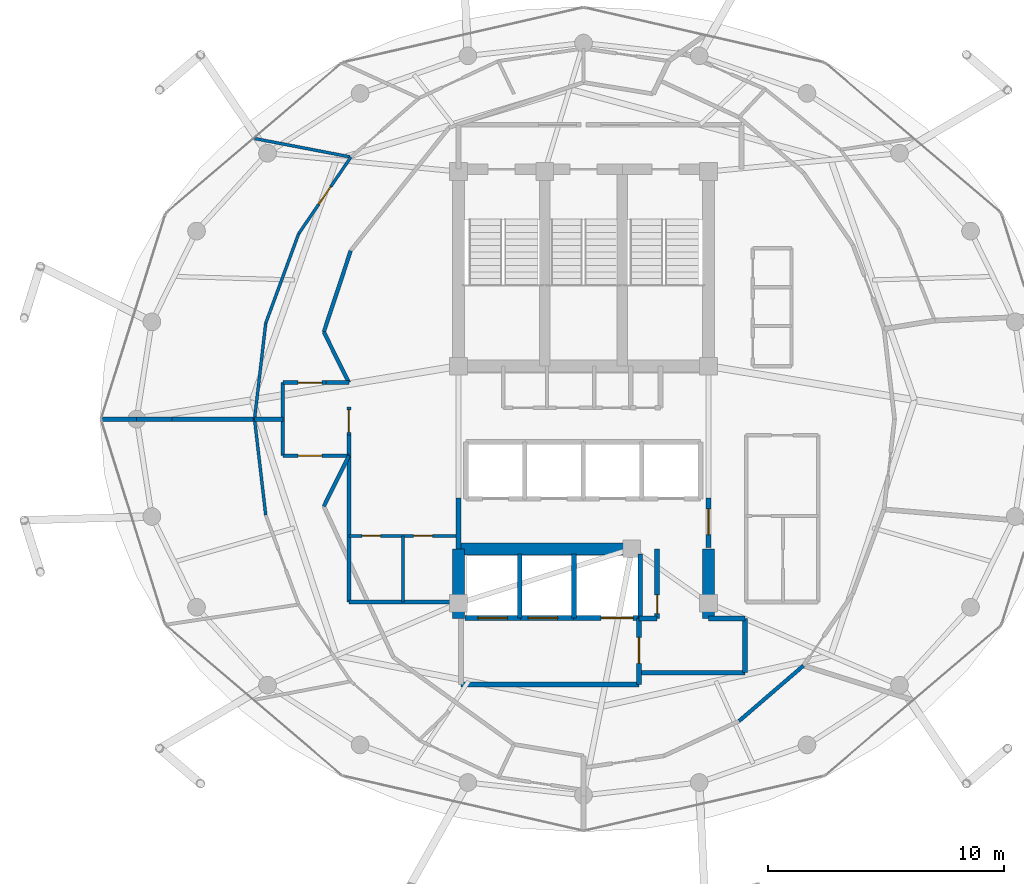
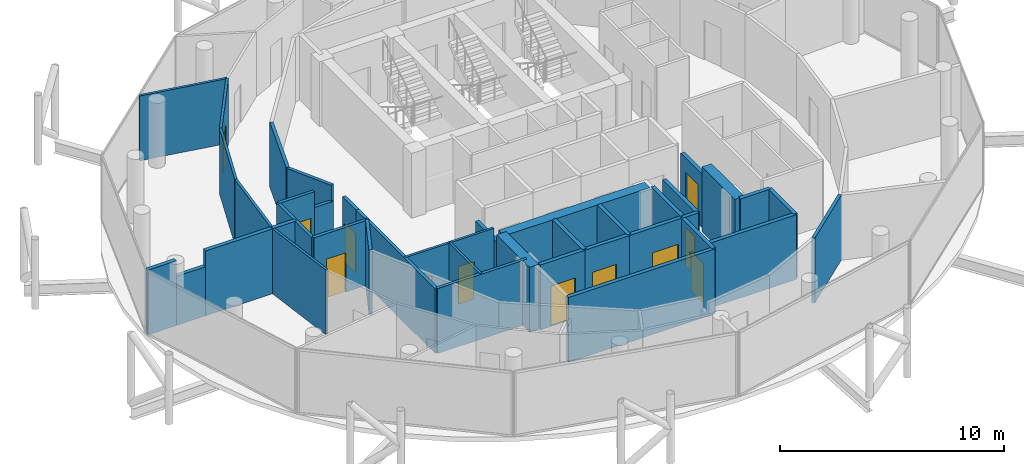
# One storey, part 20 of 24: 40 walls, 12 doors, 12 openings.
"""IFC4 building model written with IfcOpenShell, lengths in metres."""

from ifc_helpers import new_model, si_unit, direction, frame, frame_2d, origin, place, context, subcontext, project, spatial, rectangle, extrude, material, layer, layer_set, type_object, element, fill, save


model = new_model("IFC4")

# Units and contexts
model_context = context("Model", 3, precision=1e-05, world=origin(), true_north=direction((0.0, 1.0)))
body_context = subcontext(model_context, "Body", "Model", "MODEL_VIEW")
ifc_project = project(units=[si_unit("LENGTHUNIT", "METRE"), si_unit("AREAUNIT", "SQUARE_METRE"), si_unit("VOLUMEUNIT", "CUBIC_METRE"), si_unit("PLANEANGLEUNIT", "RADIAN"), si_unit("MASSUNIT", "GRAM", prefix="KILO")], contexts=[model_context])

# Site, building, storey
site_placement = place(None, origin())
site = spatial("IfcSite", under=ifc_project, at=site_placement, CompositionType="ELEMENT")
building_placement = place(site_placement, origin())
building = spatial("IfcBuilding", under=site, at=building_placement, Name="Nuhasar Tower", CompositionType="ELEMENT")
storey_placement = place(building_placement, frame((0.0, 0.0, 289.800048828125)))
storey = spatial("IfcBuildingStorey", under=building, at=storey_placement, Name="L72", CompositionType="ELEMENT", Elevation=289.800048828125)

# Walls
ifc_material_1 = material(Name="Concrete C50/60", Category="concrete")
ifc_layer_1 = layer(ifc_material_1, 0.5)
ifc_layer_set_1 = layer_set([ifc_layer_1], Name="Concrete C50/60")
wall_type_1 = type_object("IfcWallType", Name="WL-CORE-500", PredefinedType="SHEAR", material=ifc_layer_set_1)
for number, where, z_axis, x_axis, name in (
    (1, (33.699951171875, 18.35009765625, 0.0), (0.0, 0.0, 1.0), (0.0, 1.0, 0.0), "L72 Core Shear Wall CW-SW CW-500"),
    (2, (44.300048828125, 18.35009765625, 0.0), (0.0, 0.0, 1.0), (0.0, 1.0, 0.0), "L72 Core Shear Wall CW-SE CW-500"),
):
    element("IfcWall", number, at=place(storey_placement, frame(where, z_axis=z_axis, x_axis=x_axis)), inside=storey, type_object=wall_type_1, Name=name, PredefinedType="SHEAR", context=body_context, shape_type="SweptSolid", body=[
        extrude(rectangle(XDim=2.949951171875, YDim=0.5, at=frame_2d((1.47509765625, 0.0))), origin(), (0.0, 0.0, 1.0), 3.5400390625),
    ])
wall_1_placement = place(storey_placement, frame((33.699951171875, 21.300048828125, 0.0), z_axis=(0.0, 0.0, 1.0), x_axis=(1.0, 0.0, 0.0)))
element("IfcWall", 3, at=wall_1_placement, inside=storey, type_object=wall_type_1, Name="L72 Core Shear Wall CW-S1 CW-500", PredefinedType="SHEAR", context=body_context, shape_type="SweptSolid", body=[
    extrude(rectangle(XDim=7.550048828125, YDim=0.5, at=frame_2d((3.77490234375, 0.0))), origin(), (0.0, 0.0, 1.0), 3.5400390625),
])
ifc_material_2 = material(Name="Gypsum Board", Category="gypsum")
ifc_layer_2 = layer(ifc_material_2, 0.159912109375)
ifc_layer_set_2 = layer_set([ifc_layer_2], Name="Gypsum Board")
wall_type_2 = type_object("IfcWallType", Name="WL-CORR-160", PredefinedType="PARTITIONING", material=ifc_layer_set_2)
wall_2_placement = place(storey_placement, frame((29.050048828125, 19.050048828125, 0.0), z_axis=(0.0, 0.0, 1.0), x_axis=(1.0, 0.0, 0.0)))
element("IfcWall", 4, at=wall_2_placement, inside=storey, type_object=wall_type_2, Name="L72 Interior Partition RECL-B1-S", PredefinedType="PARTITIONING", context=body_context, shape_type="SweptSolid", body=[
    extrude(rectangle(XDim=4.64990234375, YDim=0.159912109375, at=frame_2d((2.324951171875, 0.0))), origin(), (0.0, 0.0, 1.0), 3.5400390625),
])
wall_3_placement = place(storey_placement, frame((29.050048828125, 19.050048828125, 0.0), z_axis=(0.0, 0.0, 1.0), x_axis=(0.0, 1.0, 0.0)))
element("IfcWall", 5, at=wall_3_placement, inside=storey, type_object=wall_type_2, Name="L72 Interior Partition RECL-B1-W", PredefinedType="PARTITIONING", context=body_context, shape_type="SweptSolid", body=[
    extrude(rectangle(XDim=7.070068359375, YDim=0.159912109375, at=frame_2d((3.53515625, 0.0))), origin(), (0.0, 0.0, 1.0), 3.5400390625),
])

# Wall, opening, door
wall_4_placement = place(storey_placement, frame((29.050048828125, 26.1201171875, 0.0), z_axis=(0.0, 0.0, 1.0), x_axis=(0.0, 1.0, 0.0)))
wall_4 = element("IfcWall", 6, at=wall_4_placement, inside=storey, type_object=wall_type_2, Name="L72 Interior Partition WVEST-E", PredefinedType="PARTITIONING", context=body_context, shape_type="SweptSolid", body=[
    extrude(rectangle(XDim=1.199951171875, YDim=0.159912109375, at=frame_2d((0.60009765625, 0.0))), origin(), (0.0, 0.0, 1.0), 3.5400390625),
])
opening_1_placement = place(wall_4_placement, frame((0.125, 0.0, 0.0)))
opening_1 = element("IfcOpeningElement", 7, at=opening_1_placement, cuts=wall_4, Name="Opening DO-01", PredefinedType="OPENING", context=body_context, shape_type="SweptSolid", body=[
    extrude(rectangle(XDim=0.949951171875, YDim=2.14990234375, at=frame_2d((0.47509765625, 1.074951171875))), frame((0.0, 0.08984375, 0.0), z_axis=(0.0, -1.0, 0.0), x_axis=(1.0, 0.0, 0.0)), (0.0, 0.0, 1.0), 0.179931640625),
])
ifc_material_3 = material(Name="Timber Oak", Category="wood")
door_type_1 = type_object("IfcDoorType", Name="DR-OFFICE-FD30-950", OperationType="NOTDEFINED", PredefinedType="DOOR", material=ifc_material_3)
door_1_placement = place(opening_1_placement, origin())
door_1 = element("IfcDoor", 8, at=door_1_placement, inside=storey, type_object=door_type_1, Name="L72 West Arrival Foyer Core Door", OperationType="SINGLE_SWING_RIGHT", OverallHeight=2.14990234375, OverallWidth=0.949951171875, PredefinedType="DOOR", context=body_context, shape_type="SweptSolid", body=[
    extrude(rectangle(XDim=0.949951171875, YDim=2.14990234375, at=frame_2d((0.47509765625, 1.074951171875))), frame((0.0, 0.02490234375, 0.0), z_axis=(0.0, -1.0, 0.0), x_axis=(1.0, 0.0, 0.0)), (0.0, 0.0, 1.0), 0.050048828125),
])
fill(opening_1, door_1)

# Walls
wall_5_placement = place(storey_placement, frame((45.594970703125, 14.0, 0.0), z_axis=(0.0, 0.0, 1.0), x_axis=(0.758232091793, 0.651984735231, 0.0)))
element("IfcWall", 9, at=wall_5_placement, inside=storey, type_object=wall_type_2, Name="L72 Interior Partition CORR-40", PredefinedType="PARTITIONING", context=body_context, shape_type="SweptSolid", body=[
    extrude(rectangle(XDim=3.60302734375, YDim=0.159912109375, at=frame_2d((1.801513671875, 0.0))), origin(), (0.0, 0.0, 1.0), 3.5400390625),
])
wall_6_placement = place(storey_placement, frame((29.126953125, 33.93994140625, 0.0), z_axis=(0.0, 0.0, 1.0), x_axis=(-0.313985571683, -0.949427754374, 0.0)))
element("IfcWall", 10, at=wall_6_placement, inside=storey, type_object=wall_type_2, Name="L72 Interior Partition UWEST-CORE-N2-20", PredefinedType="PARTITIONING", context=body_context, shape_type="SweptSolid", body=[
    extrude(rectangle(XDim=3.627197265625, YDim=0.159912109375, at=frame_2d((1.8134765625, 0.0))), origin(), (0.0, 0.0, 1.0), 3.5400390625),
])

# Wall, opening, door
wall_7_placement = place(storey_placement, frame((26.25, 28.35009765625, 0.0), z_axis=(0.0, 0.0, 1.0), x_axis=(1.0, 0.0, 0.0)))
wall_7 = element("IfcWall", 11, at=wall_7_placement, inside=storey, type_object=wall_type_2, Name="L72 Interior Partition WVEST-N", PredefinedType="PARTITIONING", context=body_context, shape_type="SweptSolid", body=[
    extrude(rectangle(XDim=1.820068359375, YDim=0.159912109375, at=frame_2d((0.91015625, 0.0))), origin(), (0.0, 0.0, 1.0), 3.5400390625),
])
opening_2_placement = place(wall_7_placement, frame((0.64990234375, 0.0, 0.0)))
opening_2 = element("IfcOpeningElement", 12, at=opening_2_placement, cuts=wall_7, Name="Opening DU-02", PredefinedType="OPENING", context=body_context, shape_type="SweptSolid", body=[
    extrude(rectangle(XDim=1.0, YDim=2.14990234375, at=frame_2d((0.5, 1.074951171875))), frame((0.0, 0.08984375, 0.0), z_axis=(0.0, -1.0, 0.0), x_axis=(1.0, 0.0, 0.0)), (0.0, 0.0, 1.0), 0.179931640625),
])
door_type_2 = type_object("IfcDoorType", Name="DR-FLAT-FD60-1000", OperationType="NOTDEFINED", PredefinedType="DOOR", material=ifc_material_3)
door_2_placement = place(opening_2_placement, origin())
door_2 = element("IfcDoor", 13, at=door_2_placement, inside=storey, type_object=door_type_2, Name="L72 North-West Sky Home Entrance", OperationType="SINGLE_SWING_LEFT", OverallHeight=2.14990234375, OverallWidth=1.0, PredefinedType="DOOR", context=body_context, shape_type="SweptSolid", body=[
    extrude(rectangle(XDim=1.0, YDim=2.14990234375, at=frame_2d((0.5, 1.074951171875))), frame((0.0, 0.02490234375, 0.0), z_axis=(0.0, -1.0, 0.0), x_axis=(1.0, 0.0, 0.0)), (0.0, 0.0, 1.0), 0.050048828125),
])
fill(opening_2, door_2)

# Wall
wall_8_placement = place(storey_placement, frame((28.070068359375, 28.35009765625, 0.0), z_axis=(0.0, 0.0, 1.0), x_axis=(1.0, 0.0, 0.0)))
element("IfcWall", 14, at=wall_8_placement, inside=storey, type_object=wall_type_2, Name="L72 Interior Partition WVEST-N", PredefinedType="PARTITIONING", context=body_context, shape_type="SweptSolid", body=[
    extrude(rectangle(XDim=0.97998046875, YDim=0.159912109375, at=frame_2d((0.489990234375, 0.0))), origin(), (0.0, 0.0, 1.0), 2.679931640625),
])

# Wall, opening, door
wall_9_placement = place(storey_placement, frame((26.25, 25.25, 0.0), z_axis=(0.0, 0.0, 1.0), x_axis=(1.0, 0.0, 0.0)))
wall_9 = element("IfcWall", 15, at=wall_9_placement, inside=storey, type_object=wall_type_2, Name="L72 Interior Partition WVEST-S", PredefinedType="PARTITIONING", context=body_context, shape_type="SweptSolid", body=[
    extrude(rectangle(XDim=2.800048828125, YDim=0.159912109375, at=frame_2d((1.39990234375, 0.0))), origin(), (0.0, 0.0, 1.0), 3.5400390625),
])
opening_3_placement = place(wall_9_placement, frame((0.64990234375, 0.0, 0.0)))
opening_3 = element("IfcOpeningElement", 16, at=opening_3_placement, cuts=wall_9, Name="Opening DU-02", PredefinedType="OPENING", context=body_context, shape_type="SweptSolid", body=[
    extrude(rectangle(XDim=1.0, YDim=2.14990234375, at=frame_2d((0.5, 1.074951171875))), frame((0.0, 0.08984375, 0.0), z_axis=(0.0, -1.0, 0.0), x_axis=(1.0, 0.0, 0.0)), (0.0, 0.0, 1.0), 0.179931640625),
])
door_3_placement = place(opening_3_placement, origin())
door_3 = element("IfcDoor", 17, at=door_3_placement, inside=storey, type_object=door_type_2, Name="L72 South-West Sky Home Entrance", OperationType="SINGLE_SWING_LEFT", OverallHeight=2.14990234375, OverallWidth=1.0, PredefinedType="DOOR", context=body_context, shape_type="SweptSolid", body=[
    extrude(rectangle(XDim=1.0, YDim=2.14990234375, at=frame_2d((0.5, 1.074951171875))), frame((0.0, 0.02490234375, 0.0), z_axis=(0.0, -1.0, 0.0), x_axis=(1.0, 0.0, 0.0)), (0.0, 0.0, 1.0), 0.050048828125),
])
fill(opening_3, door_3)

# Walls
wall_10_placement = place(storey_placement, frame((26.25, 25.25, 0.0), z_axis=(0.0, 0.0, 1.0), x_axis=(0.0, 1.0, 0.0)))
element("IfcWall", 18, at=wall_10_placement, inside=storey, type_object=wall_type_2, Name="L72 Interior Partition WVEST-W", PredefinedType="PARTITIONING", context=body_context, shape_type="SweptSolid", body=[
    extrude(rectangle(XDim=3.10009765625, YDim=0.159912109375, at=frame_2d((1.550048828125, 0.0))), origin(), (0.0, 0.0, 1.0), 3.5400390625),
])
for number, where, z_axis, x_axis, name in (
    (19, (27.988037109375, 30.49609375, 0.0), (0.0, 0.0, 1.0), (0.443539160525, -0.896254993337, 0.0), "L72 Interior Partition WVEST-CN"),
    (20, (27.988037109375, 23.10400390625, 0.0), (0.0, 0.0, 1.0), (0.443539160525, 0.896254993337, 0.0), "L72 Interior Partition WVEST-CS"),
):
    element("IfcWall", number, at=place(storey_placement, frame(where, z_axis=z_axis, x_axis=x_axis)), inside=storey, type_object=wall_type_2, Name=name, PredefinedType="PARTITIONING", context=body_context, shape_type="SweptSolid", body=[
        extrude(rectangle(XDim=2.394287109375, YDim=0.159912109375, at=frame_2d((1.197265625, 0.0))), origin(), (0.0, 0.0, 1.0), 3.5400390625),
    ])
ifc_material_4 = material(Name="Concrete C45/55", Category="concrete")
ifc_layer_3 = layer(ifc_material_4, 0.199951171875)
ifc_layer_set_3 = layer_set([ifc_layer_3], Name="Concrete C45/55")
wall_type_3 = type_object("IfcWallType", Name="WL-LOBBY-200", PredefinedType="SOLIDWALL", material=ifc_layer_set_3)
wall_11_placement = place(storey_placement, frame((33.699951171875, 21.300048828125, 0.0), z_axis=(0.0, 0.0, 1.0), x_axis=(0.0, 1.0, 0.0)))
element("IfcWall", 21, at=wall_11_placement, inside=storey, type_object=wall_type_3, Name="L72 Interior Partition LLBH-W", PredefinedType="SOLIDWALL", context=body_context, shape_type="SweptSolid", body=[
    extrude(rectangle(XDim=2.14990234375, YDim=0.199951171875, at=frame_2d((1.074951171875, 0.0))), origin(), (0.0, 0.0, 1.0), 2.925048828125),
])

# Wall, opening, door
wall_12_placement = place(storey_placement, frame((44.300048828125, 21.35009765625, 0.0), z_axis=(0.0, 0.0, 1.0), x_axis=(0.0, 1.0, 0.0)))
wall_12 = element("IfcWall", 22, at=wall_12_placement, inside=storey, type_object=wall_type_3, Name="L72 Interior Partition LLBH-E", PredefinedType="SOLIDWALL", context=body_context, shape_type="SweptSolid", body=[
    extrude(rectangle(XDim=2.099853515625, YDim=0.199951171875, at=frame_2d((1.0498046875, 0.0))), origin(), (0.0, 0.0, 1.0), 2.925048828125),
])
opening_4_placement = place(wall_12_placement, frame((0.550048828125, 0.0, 0.0)))
opening_4 = element("IfcOpeningElement", 23, at=opening_4_placement, cuts=wall_12, Name="Opening DS-02", PredefinedType="OPENING", context=body_context, shape_type="SweptSolid", body=[
    extrude(rectangle(XDim=1.10009765625, YDim=2.14990234375, at=frame_2d((0.550048828125, 1.074951171875))), frame((0.0, 0.10986328125, 0.0), z_axis=(0.0, -1.0, 0.0), x_axis=(1.0, 0.0, 0.0)), (0.0, 0.0, 1.0), 0.219970703125),
])
ifc_material_5 = material(Name="Steel S355", Category="steel")
door_type_3 = type_object("IfcDoorType", Name="DR-FFL-FD120-1100", OperationType="NOTDEFINED", PredefinedType="DOOR", material=ifc_material_5)
door_4_placement = place(opening_4_placement, origin())
door_4 = element("IfcDoor", 24, at=door_4_placement, inside=storey, type_object=door_type_3, Name="L72 High-Rise Lobby East Door", OperationType="SINGLE_SWING_RIGHT", OverallHeight=2.14990234375, OverallWidth=1.10009765625, PredefinedType="DOOR", context=body_context, shape_type="SweptSolid", body=[
    extrude(rectangle(XDim=1.10009765625, YDim=2.14990234375, at=frame_2d((0.550048828125, 1.074951171875))), frame((0.0, 0.02490234375, 0.0), z_axis=(0.0, -1.0, 0.0), x_axis=(1.0, 0.0, 0.0)), (0.0, 0.0, 1.0), 0.050048828125),
])
fill(opening_4, door_4)

# Wall
wall_13_placement = place(storey_placement, frame((33.800048828125, 15.550048828125, 0.0), z_axis=(0.0, 0.0, 1.0), x_axis=(1.0, 0.0, 0.0)))
element("IfcWall", 25, at=wall_13_placement, inside=storey, type_object=wall_type_3, Name="L72 Interior Partition FFL-S", PredefinedType="SOLIDWALL", context=body_context, shape_type="SweptSolid", body=[
    extrude(rectangle(XDim=7.550048828125, YDim=0.199951171875, at=frame_2d((3.77490234375, 0.0))), origin(), (0.0, 0.0, 1.0), 3.5400390625),
])

# Wall, opening, door
wall_14_placement = place(storey_placement, frame((41.35009765625, 15.550048828125, 0.0), z_axis=(0.0, 0.0, 1.0), x_axis=(0.0, 1.0, 0.0)))
wall_14 = element("IfcWall", 26, at=wall_14_placement, inside=storey, type_object=wall_type_3, Name="L72 Interior Partition FFL-E", PredefinedType="SOLIDWALL", context=body_context, shape_type="SweptSolid", body=[
    extrude(rectangle(XDim=2.800048828125, YDim=0.199951171875, at=frame_2d((1.39990234375, 0.0))), origin(), (0.0, 0.0, 1.0), 3.5400390625),
])
opening_5_placement = place(wall_14_placement, frame((0.89990234375, 0.0, 0.0)))
opening_5 = element("IfcOpeningElement", 27, at=opening_5_placement, cuts=wall_14, Name="Opening DS-02", PredefinedType="OPENING", context=body_context, shape_type="SweptSolid", body=[
    extrude(rectangle(XDim=1.10009765625, YDim=2.14990234375, at=frame_2d((0.550048828125, 1.074951171875))), frame((0.0, 0.10986328125, 0.0), z_axis=(0.0, -1.0, 0.0), x_axis=(1.0, 0.0, 0.0)), (0.0, 0.0, 1.0), 0.219970703125),
])
door_5_placement = place(opening_5_placement, origin())
door_5 = element("IfcDoor", 28, at=door_5_placement, inside=storey, type_object=door_type_3, Name="L72 Firefighting Lobby Door", OperationType="SINGLE_SWING_RIGHT", OverallHeight=2.14990234375, OverallWidth=1.10009765625, PredefinedType="DOOR", context=body_context, shape_type="SweptSolid", body=[
    extrude(rectangle(XDim=1.10009765625, YDim=2.14990234375, at=frame_2d((0.550048828125, 1.074951171875))), frame((0.0, 0.02490234375, 0.0), z_axis=(0.0, -1.0, 0.0), x_axis=(1.0, 0.0, 0.0)), (0.0, 0.0, 1.0), 0.050048828125),
])
fill(opening_5, door_5)

# Walls
wall_15_placement = place(storey_placement, frame((41.35009765625, 16.050048828125, 0.0), z_axis=(0.0, 0.0, 1.0), x_axis=(1.0, 0.0, 0.0)))
element("IfcWall", 29, at=wall_15_placement, inside=storey, type_object=wall_type_3, Name="L72 Interior Partition SVLV-S", PredefinedType="SOLIDWALL", context=body_context, shape_type="SweptSolid", body=[
    extrude(rectangle(XDim=4.5, YDim=0.199951171875, at=frame_2d((2.25, 0.0))), origin(), (0.0, 0.0, 1.0), 3.5400390625),
])
wall_16_placement = place(storey_placement, frame((45.85009765625, 16.050048828125, 0.0), z_axis=(0.0, 0.0, 1.0), x_axis=(0.0, 1.0, 0.0)))
element("IfcWall", 30, at=wall_16_placement, inside=storey, type_object=wall_type_3, Name="L72 Interior Partition SVLV-E", PredefinedType="SOLIDWALL", context=body_context, shape_type="SweptSolid", body=[
    extrude(rectangle(XDim=2.300048828125, YDim=0.199951171875, at=frame_2d((1.14990234375, 0.0))), origin(), (0.0, 0.0, 1.0), 3.5400390625),
])
wall_17_placement = place(storey_placement, frame((44.300048828125, 18.35009765625, 0.0), z_axis=(0.0, 0.0, 1.0), x_axis=(1.0, 0.0, 0.0)))
element("IfcWall", 31, at=wall_17_placement, inside=storey, type_object=wall_type_3, Name="L72 Interior Partition SVLV-N", PredefinedType="SOLIDWALL", context=body_context, shape_type="SweptSolid", body=[
    extrude(rectangle(XDim=1.550048828125, YDim=0.199951171875, at=frame_2d((0.77490234375, 0.0))), origin(), (0.0, 0.0, 1.0), 3.5400390625),
])

# Wall, openings, doors
ifc_layer_4 = layer(ifc_material_2, 0.125)
ifc_layer_set_4 = layer_set([ifc_layer_4], Name="Gypsum Board")
wall_type_4 = type_object("IfcWallType", Name="WL-PART-125", PredefinedType="PARTITIONING", material=ifc_layer_set_4)
wall_18_placement = place(storey_placement, frame((33.60009765625, 21.85009765625, 0.0), z_axis=(0.0, 0.0, 1.0), x_axis=(-1.0, 0.0, 0.0)))
wall_18 = element("IfcWall", 32, at=wall_18_placement, inside=storey, type_object=wall_type_4, Name="L72 Interior Partition HKPK1-N", PredefinedType="PARTITIONING", context=body_context, shape_type="SweptSolid", body=[
    extrude(rectangle(XDim=4.550048828125, YDim=0.125, at=frame_2d((2.27490234375, 0.0))), origin(), (0.0, 0.0, 1.0), 3.5400390625),
])
opening_6_placement = place(wall_18_placement, frame((3.199951171875, 0.0, 0.0)))
opening_6 = element("IfcOpeningElement", 33, at=opening_6_placement, cuts=wall_18, Name="Opening DM-01", PredefinedType="OPENING", context=body_context, shape_type="SweptSolid", body=[
    extrude(rectangle(XDim=0.800048828125, YDim=2.050048828125, at=frame_2d((0.39990234375, 1.02490234375))), frame((0.0, 0.072509765625, 0.0), z_axis=(0.0, -1.0, 0.0), x_axis=(1.0, 0.0, 0.0)), (0.0, 0.0, 1.0), 0.14501953125),
])
opening_7_placement = place(wall_18_placement, frame((1.0, 0.0, 0.0)))
opening_7 = element("IfcOpeningElement", 34, at=opening_7_placement, cuts=wall_18, Name="Opening DM-01", PredefinedType="OPENING", context=body_context, shape_type="SweptSolid", body=[
    extrude(rectangle(XDim=0.800048828125, YDim=2.050048828125, at=frame_2d((0.39990234375, 1.02490234375))), frame((0.0, 0.072509765625, 0.0), z_axis=(0.0, -1.0, 0.0), x_axis=(1.0, 0.0, 0.0)), (0.0, 0.0, 1.0), 0.14501953125),
])
door_type_4 = type_object("IfcDoorType", Name="DR-RISER-FD60-800", OperationType="NOTDEFINED", PredefinedType="DOOR", material=ifc_material_5)
door_6_placement = place(opening_6_placement, origin())
door_6 = element("IfcDoor", 35, at=door_6_placement, inside=storey, type_object=door_type_4, Name="L72 Housekeeping Closet Door", OperationType="SINGLE_SWING_RIGHT", OverallHeight=2.050048828125, OverallWidth=0.800048828125, PredefinedType="DOOR", context=body_context, shape_type="SweptSolid", body=[
    extrude(rectangle(XDim=0.800048828125, YDim=2.050048828125, at=frame_2d((0.39990234375, 1.02490234375))), frame((0.0, 0.02490234375, 0.0), z_axis=(0.0, -1.0, 0.0), x_axis=(1.0, 0.0, 0.0)), (0.0, 0.0, 1.0), 0.050048828125),
])
fill(opening_6, door_6)
door_7_placement = place(opening_7_placement, origin())
door_7 = element("IfcDoor", 36, at=door_7_placement, inside=storey, type_object=door_type_4, Name="L72 Linen Store Door", OperationType="SINGLE_SWING_LEFT", OverallHeight=2.050048828125, OverallWidth=0.800048828125, PredefinedType="DOOR", context=body_context, shape_type="SweptSolid", body=[
    extrude(rectangle(XDim=0.800048828125, YDim=2.050048828125, at=frame_2d((0.39990234375, 1.02490234375))), frame((0.0, 0.02490234375, 0.0), z_axis=(0.0, -1.0, 0.0), x_axis=(1.0, 0.0, 0.0)), (0.0, 0.0, 1.0), 0.050048828125),
])
fill(opening_7, door_7)

# Wall
wall_19_placement = place(storey_placement, frame((31.35009765625, 19.050048828125, 0.0), z_axis=(0.0, 0.0, 1.0), x_axis=(0.0, 1.0, 0.0)))
element("IfcWall", 37, at=wall_19_placement, inside=storey, type_object=wall_type_4, Name="L72 Interior Partition HKPK1-V", PredefinedType="PARTITIONING", context=body_context, shape_type="SweptSolid", body=[
    extrude(rectangle(XDim=2.800048828125, YDim=0.125, at=frame_2d((1.39990234375, 0.0))), origin(), (0.0, 0.0, 1.0), 3.5400390625),
])

# Wall, opening, door
wall_20_placement = place(storey_placement, frame((26.9189453125, 34.659912109375, 0.0), z_axis=(0.0, 0.0, 1.0), x_axis=(0.562811699753, 0.826585138157, 0.0)))
wall_20 = element("IfcWall", 38, at=wall_20_placement, inside=storey, type_object=wall_type_4, Name="L72 Interior Partition USM-1-D-18", PredefinedType="PARTITIONING", context=body_context, shape_type="SweptSolid", body=[
    extrude(rectangle(XDim=3.939208984375, YDim=0.125, at=frame_2d((1.9697265625, 0.0))), origin(), (0.0, 0.0, 1.0), 3.5400390625),
])
opening_8_placement = place(wall_20_placement, frame((1.52001953125, 0.0, 0.0)))
opening_8 = element("IfcOpeningElement", 39, at=opening_8_placement, cuts=wall_20, Name="Opening DR-01", PredefinedType="OPENING", context=body_context, shape_type="SweptSolid", body=[
    extrude(rectangle(XDim=0.89990234375, YDim=2.10009765625, at=frame_2d((0.449951171875, 1.050048828125))), frame((0.0, 0.072509765625, 0.0), z_axis=(0.0, -1.0, 0.0), x_axis=(1.0, 0.0, 0.0)), (0.0, 0.0, 1.0), 0.14501953125),
])
door_type_5 = type_object("IfcDoorType", Name="DR-ROOM-900", OperationType="NOTDEFINED", PredefinedType="DOOR", material=ifc_material_3)
door_8_placement = place(opening_8_placement, origin())
door_8 = element("IfcDoor", 40, at=door_8_placement, inside=storey, type_object=door_type_5, Name="L72 North-West Sky Home Living Door", OperationType="SINGLE_SWING_RIGHT", OverallHeight=2.10009765625, OverallWidth=0.89990234375, PredefinedType="DOOR", context=body_context, shape_type="SweptSolid", body=[
    extrude(rectangle(XDim=0.89990234375, YDim=2.10009765625, at=frame_2d((0.449951171875, 1.050048828125))), frame((0.0, 0.02490234375, 0.0), z_axis=(0.0, -1.0, 0.0), x_axis=(1.0, 0.0, 0.0)), (0.0, 0.0, 1.0), 0.050048828125),
])
fill(opening_8, door_8)

# Walls
wall_21_placement = place(storey_placement, frame((26.9189453125, 34.659912109375, 0.0), z_axis=(0.0, 0.0, 1.0), x_axis=(-0.345128286029, -0.938555521097, 0.0)))
element("IfcWall", 41, at=wall_21_placement, inside=storey, type_object=wall_type_4, Name="L72 Interior Partition USM-1-D-20", PredefinedType="PARTITIONING", context=body_context, shape_type="SweptSolid", body=[
    extrude(rectangle(XDim=4.039306640625, YDim=0.125, at=frame_2d((2.01953125, 0.0))), origin(), (0.0, 0.0, 1.0), 3.5400390625),
])
wall_22_placement = place(storey_placement, frame((25.52490234375, 30.868896484375, 0.0), z_axis=(0.0, 0.0, 1.0), x_axis=(-0.115917937966, -0.993258793899, 0.0)))
element("IfcWall", 42, at=wall_22_placement, inside=storey, type_object=wall_type_4, Name="L72 Interior Partition USM-1-D-22", PredefinedType="PARTITIONING", context=body_context, shape_type="SweptSolid", body=[
    extrude(rectangle(XDim=4.096435546875, YDim=0.125, at=frame_2d((2.04833984375, 0.0))), origin(), (0.0, 0.0, 1.0), 3.5400390625),
])
wall_23_placement = place(storey_placement, frame((29.135986328125, 37.916015625, 0.0), z_axis=(0.0, 0.0, 1.0), x_axis=(-0.982044095555, 0.188651515727, 0.0)))
element("IfcWall", 43, at=wall_23_placement, inside=storey, type_object=wall_type_4, Name="L72 Interior Partition USO-1-B2", PredefinedType="PARTITIONING", context=body_context, shape_type="SweptSolid", body=[
    extrude(rectangle(XDim=4.16064453125, YDim=0.125, at=frame_2d((2.080322265625, 0.0))), origin(), (0.0, 0.0, 1.0), 3.5400390625),
])
wall_24_placement = place(storey_placement, frame((25.050048828125, 26.800048828125, 0.0), z_axis=(0.0, 0.0, 1.0), x_axis=(0.115911076473, -0.993259594643, 0.0)))
element("IfcWall", 44, at=wall_24_placement, inside=storey, type_object=wall_type_4, Name="L72 Interior Partition USM-2-D-24", PredefinedType="PARTITIONING", context=body_context, shape_type="SweptSolid", body=[
    extrude(rectangle(XDim=4.0966796875, YDim=0.125, at=frame_2d((2.04833984375, 0.0))), origin(), (0.0, 0.0, 1.0), 3.5400390625),
])

# Wall, opening, door
ifc_layer_5 = layer(ifc_material_4, 0.199951171875)
ifc_layer_set_5 = layer_set([ifc_layer_5], Name="Concrete C45/55")
wall_type_5 = type_object("IfcWallType", Name="WL-SHAFT-200", PredefinedType="SOLIDWALL", material=ifc_layer_set_5)
wall_25_placement = place(storey_placement, frame((33.969970703125, 18.3701171875, 0.0), z_axis=(0.0, 0.0, 1.0), x_axis=(1.0, 0.0, 0.0)))
wall_25 = element("IfcWall", 45, at=wall_25_placement, inside=storey, type_object=wall_type_5, Name="L72 Interior Partition SHF-FFL-01-S", PredefinedType="SOLIDWALL", context=body_context, shape_type="SweptSolid", body=[
    extrude(rectangle(XDim=2.360107421875, YDim=0.199951171875, at=frame_2d((1.18017578125, 0.0))), origin(), (0.0, 0.0, 1.0), 3.5400390625),
])
opening_9_placement = place(wall_25_placement, frame((0.554931640625, 0.0, 0.0)))
opening_9 = element("IfcOpeningElement", 46, at=opening_9_placement, cuts=wall_25, Name="Opening LD-F01", PredefinedType="OPENING", context=body_context, shape_type="SweptSolid", body=[
    extrude(rectangle(XDim=1.25, YDim=2.199951171875, at=frame_2d((0.625, 1.10009765625))), frame((0.0, 0.10986328125, 0.0), z_axis=(0.0, -1.0, 0.0), x_axis=(1.0, 0.0, 0.0)), (0.0, 0.0, 1.0), 0.219970703125),
])
ifc_material_6 = material(Name="Stainless Steel 316L", Category="steel")
door_type_6 = type_object("IfcDoorType", Name="LD-FFL-1250", OperationType="DOUBLE_DOOR_SLIDING", PredefinedType="DOOR", material=ifc_material_6)
door_9_placement = place(opening_9_placement, origin())
door_9 = element("IfcDoor", 47, at=door_9_placement, inside=storey, type_object=door_type_6, Name="L72 Lift Landing Door FFL-01", OperationType="DOUBLE_DOOR_SLIDING", OverallHeight=2.199951171875, OverallWidth=1.25, PredefinedType="DOOR", context=body_context, shape_type="SweptSolid", body=[
    extrude(rectangle(XDim=1.25, YDim=2.199951171875, at=frame_2d((0.625, 1.10009765625))), frame((0.0, 0.02490234375, 0.0), z_axis=(0.0, -1.0, 0.0), x_axis=(1.0, 0.0, 0.0)), (0.0, 0.0, 1.0), 0.050048828125),
])
fill(opening_9, door_9)

# Wall
wall_26_placement = place(storey_placement, frame((36.300048828125, 18.3701171875, 0.0), z_axis=(0.0, 0.0, 1.0), x_axis=(0.0, 1.0, 0.0)))
element("IfcWall", 48, at=wall_26_placement, inside=storey, type_object=wall_type_5, Name="L72 Interior Partition SHF-FFL-01-E", PredefinedType="SOLIDWALL", context=body_context, shape_type="SweptSolid", body=[
    extrude(rectangle(XDim=2.7099609375, YDim=0.199951171875, at=frame_2d((1.35498046875, 0.0))), origin(), (0.0, 0.0, 1.0), 3.5400390625),
])

# Wall, opening, door
wall_27_placement = place(storey_placement, frame((36.27001953125, 18.3701171875, 0.0), z_axis=(0.0, 0.0, 1.0), x_axis=(1.0, 0.0, 0.0)))
wall_27 = element("IfcWall", 49, at=wall_27_placement, inside=storey, type_object=wall_type_5, Name="L72 Interior Partition SHF-FFL-02-S", PredefinedType="SOLIDWALL", context=body_context, shape_type="SweptSolid", body=[
    extrude(rectangle(XDim=2.35986328125, YDim=0.199951171875, at=frame_2d((1.179931640625, 0.0))), origin(), (0.0, 0.0, 1.0), 3.5400390625),
])
opening_10_placement = place(wall_27_placement, frame((0.3798828125, 0.0, 0.0)))
opening_10 = element("IfcOpeningElement", 50, at=opening_10_placement, cuts=wall_27, Name="Opening LD-F02", PredefinedType="OPENING", context=body_context, shape_type="SweptSolid", body=[
    extrude(rectangle(XDim=1.25, YDim=2.199951171875, at=frame_2d((0.625, 1.10009765625))), frame((0.0, 0.10986328125, 0.0), z_axis=(0.0, -1.0, 0.0), x_axis=(1.0, 0.0, 0.0)), (0.0, 0.0, 1.0), 0.219970703125),
])
door_10_placement = place(opening_10_placement, origin())
door_10 = element("IfcDoor", 51, at=door_10_placement, inside=storey, type_object=door_type_6, Name="L72 Lift Landing Door FFL-02", OperationType="DOUBLE_DOOR_SLIDING", OverallHeight=2.199951171875, OverallWidth=1.25, PredefinedType="DOOR", context=body_context, shape_type="SweptSolid", body=[
    extrude(rectangle(XDim=1.25, YDim=2.199951171875, at=frame_2d((0.625, 1.10009765625))), frame((0.0, 0.02490234375, 0.0), z_axis=(0.0, -1.0, 0.0), x_axis=(1.0, 0.0, 0.0)), (0.0, 0.0, 1.0), 0.050048828125),
])
fill(opening_10, door_10)

# Wall
wall_28_placement = place(storey_placement, frame((38.60009765625, 18.3701171875, 0.0), z_axis=(0.0, 0.0, 1.0), x_axis=(0.0, 1.0, 0.0)))
element("IfcWall", 52, at=wall_28_placement, inside=storey, type_object=wall_type_5, Name="L72 Interior Partition SHF-FFL-02-E", PredefinedType="SOLIDWALL", context=body_context, shape_type="SweptSolid", body=[
    extrude(rectangle(XDim=2.7099609375, YDim=0.199951171875, at=frame_2d((1.35498046875, 0.0))), origin(), (0.0, 0.0, 1.0), 3.5400390625),
])

# Wall, opening, door
wall_29_placement = place(storey_placement, frame((38.570068359375, 18.3701171875, 0.0), z_axis=(0.0, 0.0, 1.0), x_axis=(1.0, 0.0, 0.0)))
wall_29 = element("IfcWall", 53, at=wall_29_placement, inside=storey, type_object=wall_type_5, Name="L72 Interior Partition SHF-SVL-01-S", PredefinedType="SOLIDWALL", context=body_context, shape_type="SweptSolid", body=[
    extrude(rectangle(XDim=2.829833984375, YDim=0.199951171875, at=frame_2d((1.4150390625, 0.0))), origin(), (0.0, 0.0, 1.0), 3.5400390625),
])
opening_11_placement = place(wall_29_placement, frame((1.179931640625, 0.0, 0.0)))
opening_11 = element("IfcOpeningElement", 54, at=opening_11_placement, cuts=wall_29, Name="Opening LD-S01", PredefinedType="OPENING", context=body_context, shape_type="SweptSolid", body=[
    extrude(rectangle(XDim=1.35009765625, YDim=2.179931640625, at=frame_2d((0.675048828125, 1.08984375))), frame((0.0, 0.10986328125, 0.0), z_axis=(0.0, -1.0, 0.0), x_axis=(1.0, 0.0, 0.0)), (0.0, 0.0, 1.0), 0.219970703125),
])
door_type_7 = type_object("IfcDoorType", Name="LD-SVL-1350", OperationType="DOUBLE_DOOR_SLIDING", PredefinedType="DOOR", material=ifc_material_6)
door_11_placement = place(opening_11_placement, origin())
door_11 = element("IfcDoor", 55, at=door_11_placement, inside=storey, type_object=door_type_7, Name="L72 Lift Landing Door SVL-01", OperationType="DOUBLE_DOOR_SLIDING", OverallHeight=2.179931640625, OverallWidth=1.35009765625, PredefinedType="DOOR", context=body_context, shape_type="SweptSolid", body=[
    extrude(rectangle(XDim=1.35009765625, YDim=2.179931640625, at=frame_2d((0.675048828125, 1.08984375))), frame((0.0, 0.02490234375, 0.0), z_axis=(0.0, -1.0, 0.0), x_axis=(1.0, 0.0, 0.0)), (0.0, 0.0, 1.0), 0.050048828125),
])
fill(opening_11, door_11)

# Wall
wall_30_placement = place(storey_placement, frame((41.39990234375, 18.3701171875, 0.0), z_axis=(0.0, 0.0, 1.0), x_axis=(0.0, 1.0, 0.0)))
element("IfcWall", 56, at=wall_30_placement, inside=storey, type_object=wall_type_5, Name="L72 Interior Partition SHF-SVL-01-E", PredefinedType="SOLIDWALL", context=body_context, shape_type="SweptSolid", body=[
    extrude(rectangle(XDim=2.7099609375, YDim=0.199951171875, at=frame_2d((1.35498046875, 0.0))), origin(), (0.0, 0.0, 1.0), 3.5400390625),
])

# Wall, opening, door
wall_31_placement = place(storey_placement, frame((42.1201171875, 18.35009765625, 0.0), z_axis=(0.0, 0.0, 1.0), x_axis=(0.0, 1.0, 0.0)))
wall_31 = element("IfcWall", 57, at=wall_31_placement, inside=storey, type_object=wall_type_5, Name="L72 Interior Partition RSR-E", PredefinedType="SOLIDWALL", context=body_context, shape_type="SweptSolid", body=[
    extrude(rectangle(XDim=2.949951171875, YDim=0.199951171875, at=frame_2d((1.47509765625, 0.0))), origin(), (0.0, 0.0, 1.0), 3.5400390625),
])
opening_12_placement = place(wall_31_placement, frame((0.199951171875, 0.0, 0.0)))
opening_12 = element("IfcOpeningElement", 58, at=opening_12_placement, cuts=wall_31, Name="Opening DM-01", PredefinedType="OPENING", context=body_context, shape_type="SweptSolid", body=[
    extrude(rectangle(XDim=0.800048828125, YDim=2.050048828125, at=frame_2d((0.39990234375, 1.02490234375))), frame((0.0, 0.10986328125, 0.0), z_axis=(0.0, -1.0, 0.0), x_axis=(1.0, 0.0, 0.0)), (0.0, 0.0, 1.0), 0.219970703125),
])
door_12_placement = place(opening_12_placement, origin())
door_12 = element("IfcDoor", 59, at=door_12_placement, inside=storey, type_object=door_type_4, Name="L72 MEP Riser Access Door", OperationType="SINGLE_SWING_LEFT", OverallHeight=2.050048828125, OverallWidth=0.800048828125, PredefinedType="DOOR", context=body_context, shape_type="SweptSolid", body=[
    extrude(rectangle(XDim=0.800048828125, YDim=2.050048828125, at=frame_2d((0.39990234375, 1.02490234375))), frame((0.0, 0.02490234375, 0.0), z_axis=(0.0, -1.0, 0.0), x_axis=(1.0, 0.0, 0.0)), (0.0, 0.0, 1.0), 0.050048828125),
])
fill(opening_12, door_12)

# Walls
wall_32_placement = place(storey_placement, frame((41.35009765625, 18.35009765625, 0.0), z_axis=(0.0, 0.0, 1.0), x_axis=(1.0, 0.0, 0.0)))
element("IfcWall", 60, at=wall_32_placement, inside=storey, type_object=wall_type_5, Name="L72 Interior Partition RSR-S", PredefinedType="SOLIDWALL", context=body_context, shape_type="SweptSolid", body=[
    extrude(rectangle(XDim=0.77001953125, YDim=0.199951171875, at=frame_2d((0.385009765625, 0.0))), origin(), (0.0, 0.0, 1.0), 3.5400390625),
])
ifc_material_7 = material(Name="Concrete C40/50 precast", Category="concrete")
ifc_layer_6 = layer(ifc_material_7, 0.199951171875)
ifc_layer_set_6 = layer_set([ifc_layer_6], Name="Concrete C40/50 precast")
wall_type_6 = type_object("IfcWallType", Name="WL-UNIT-200", PredefinedType="PARTITIONING", material=ifc_layer_set_6)
wall_33_placement = place(storey_placement, frame((26.25, 26.800048828125, 0.0), z_axis=(0.0, 0.0, 1.0), x_axis=(-1.0, 0.0, 0.0)))
element("IfcWall", 61, at=wall_33_placement, inside=storey, type_object=wall_type_6, Name="L72 Interior Partition UWEST-PARTY-IN", PredefinedType="PARTITIONING", context=body_context, shape_type="SweptSolid", body=[
    extrude(rectangle(XDim=1.199951171875, YDim=0.199951171875, at=frame_2d((0.60009765625, 0.0))), origin(), (0.0, 0.0, 1.0), 3.5400390625),
])
wall_34_placement = place(storey_placement, frame((25.050048828125, 26.800048828125, 0.0), z_axis=(0.0, 0.0, 1.0), x_axis=(-1.0, 0.0, 0.0)))
element("IfcWall", 62, at=wall_34_placement, inside=storey, type_object=wall_type_6, Name="L72 Interior Partition UWEST-PARTY-OUT", PredefinedType="PARTITIONING", context=body_context, shape_type="SweptSolid", body=[
    extrude(rectangle(XDim=3.49609375, YDim=0.199951171875, at=frame_2d((1.748046875, 0.0))), origin(), (0.0, 0.0, 1.0), 3.5400390625),
])
wall_35_placement = place(storey_placement, frame((21.553955078125, 26.800048828125, 0.0), z_axis=(0.0, 0.0, 1.0), x_axis=(-1.0, 0.0, 0.0)))
element("IfcWall", 63, at=wall_35_placement, inside=storey, type_object=wall_type_6, Name="L72 Interior Partition UWEST-PARTY-OUT", PredefinedType="PARTITIONING", context=body_context, shape_type="SweptSolid", body=[
    extrude(rectangle(XDim=1.52001953125, YDim=0.199951171875, at=frame_2d((0.760009765625, 0.0))), origin(), (0.0, 0.0, 1.0), 2.679931640625),
])
wall_36_placement = place(storey_placement, frame((20.033935546875, 26.800048828125, 0.0), z_axis=(0.0, 0.0, 1.0), x_axis=(-1.0, 0.0, 0.0)))
element("IfcWall", 64, at=wall_36_placement, inside=storey, type_object=wall_type_6, Name="L72 Interior Partition UWEST-PARTY-OUT", PredefinedType="PARTITIONING", context=body_context, shape_type="SweptSolid", body=[
    extrude(rectangle(XDim=1.458984375, YDim=0.199951171875, at=frame_2d((0.7294921875, 0.0))), origin(), (0.0, 0.0, 1.0), 3.5400390625),
])

save(model, "model.ifc")
